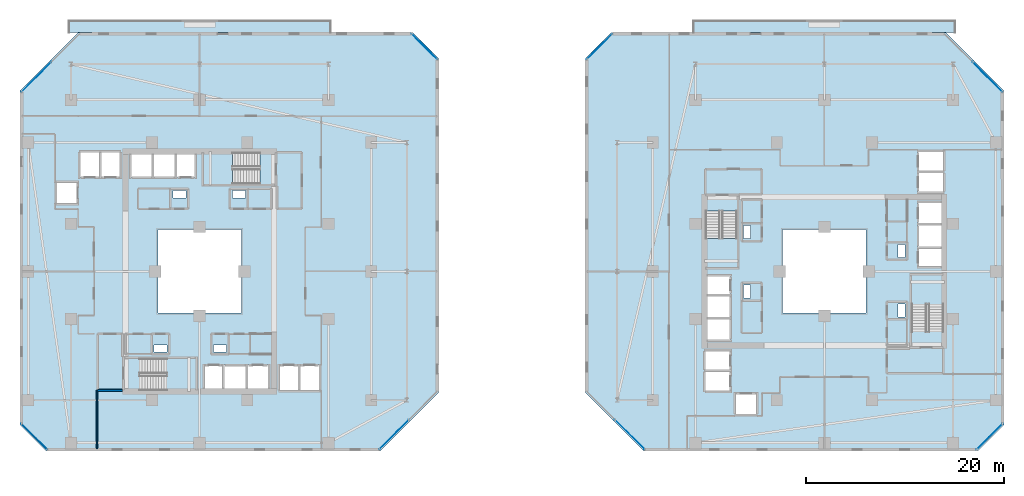
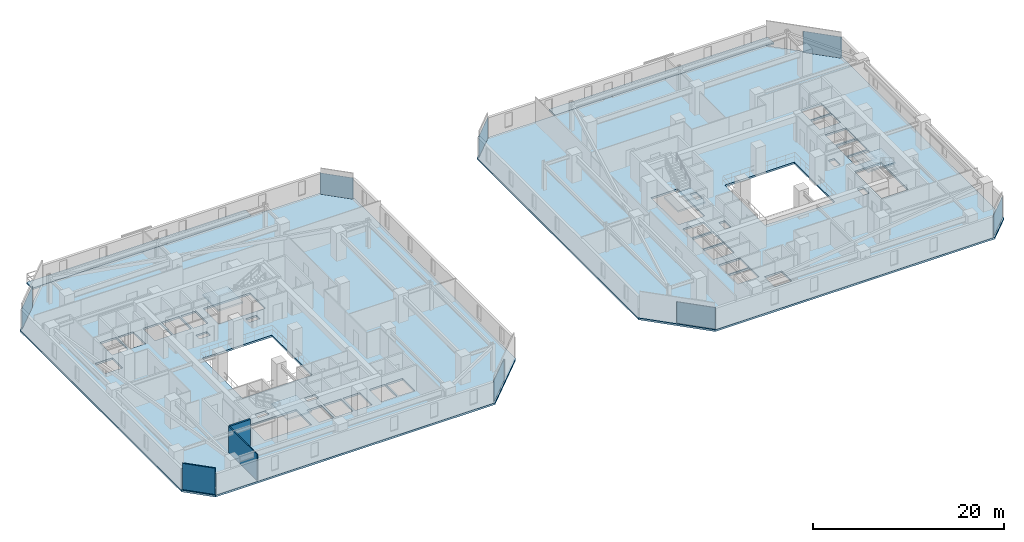
# One storey, part 15 of 30: 8 plates, 8 slabs, 3 walls, 12 elements without a shape of their own.
"""IFC4 building model written with IfcOpenShell, lengths in metres."""

from ifc_helpers import new_model, si_unit, direction, frame, frame_2d, origin, origin_2d, place, context, subcontext, project, spatial, polyline, rectangle, outline, extrude, material, layer, layer_set, type_object, element, aggregate, save


model = new_model("IFC4")

# Units and contexts
model_context = context("Model", 3, precision=1e-05, world=origin(), true_north=direction((0.0, 1.0)))
body_context = subcontext(model_context, "Body", "Model", "MODEL_VIEW")
ifc_project = project(units=[si_unit("LENGTHUNIT", "METRE"), si_unit("AREAUNIT", "SQUARE_METRE"), si_unit("VOLUMEUNIT", "CUBIC_METRE"), si_unit("PLANEANGLEUNIT", "RADIAN"), si_unit("MASSUNIT", "GRAM", prefix="KILO")], contexts=[model_context])

# Site, building, storey
site_placement = place(None, origin())
site = spatial("IfcSite", under=ifc_project, at=site_placement, CompositionType="ELEMENT")
building_placement = place(site_placement, origin())
building = spatial("IfcBuilding", under=site, at=building_placement, Name="Thornwick Lancets Civic Towers", CompositionType="ELEMENT")
storey_placement = place(building_placement, frame((0.0, 0.0, 80.10009765625)))
storey = spatial("IfcBuildingStorey", under=building, at=storey_placement, Name="L20", CompositionType="ELEMENT", Elevation=80.10009765625)

# Curtain wall, plate
ifc_material_1 = material(Name="Low-zone chamfered-corner unitised glass curtain wall", Category="glass")
curtain_wall_type = type_object("IfcCurtainWallType", Name="CW_SYS_03", PredefinedType="NOTDEFINED", material=ifc_material_1)
curtain_wall_1_placement = place(storey_placement, origin())
curtain_wall_1 = element("IfcCurtainWall", 1, at=curtain_wall_1_placement, inside=storey, type_object=curtain_wall_type, Name="L20 Curtain Wall CW-L20-A-E1", PredefinedType="NOTDEFINED")
ifc_material_2 = material(Name="Low-e double glazing clear glass", Category="glass")
ifc_layer_1 = layer(ifc_material_2, 0.035888671875, Name="Low-e double glazing clear glass")
ifc_layer_set_1 = layer_set([ifc_layer_1], Name="Low-e double glazing clear glass")
plate_type = type_object("IfcPlateType", Name="CW_PNL_GLASS", PredefinedType="CURTAIN_PANEL", material=ifc_layer_set_1)
plate_1_placement = place(storey_placement, frame((45.11279296875, 10.537109375, 0.0), z_axis=(0.0, 0.0, 1.0), x_axis=(0.707106781187, 0.707106781187, 0.0)))
plate_1 = element("IfcPlate", 2, at=plate_1_placement, type_object=plate_type, Name="CW-L20-A-E1 Panel 0", PredefinedType="CURTAIN_PANEL", context=body_context, shape_type="SweptSolid", body=[
    extrude(rectangle(XDim=4.213623046875, YDim=0.035888671875, at=origin_2d()), origin(), (0.0, 0.0, 1.0), 2.699951171875),
])
aggregate(curtain_wall_1, [plate_1])

curtain_wall_2_placement = place(storey_placement, origin())
curtain_wall_2 = element("IfcCurtainWall", 3, at=curtain_wall_2_placement, inside=storey, type_object=curtain_wall_type, Name="L20 Curtain Wall CW-L20-A-E3", PredefinedType="NOTDEFINED")
plate_2_placement = place(storey_placement, frame((48.173095703125, 49.673095703125, 0.0), z_axis=(0.0, 0.0, 1.0), x_axis=(-0.707106781187, 0.707106781187, 0.0)))
plate_2 = element("IfcPlate", 4, at=plate_2_placement, type_object=plate_type, Name="CW-L20-A-E3 Panel 0", PredefinedType="CURTAIN_PANEL", context=body_context, shape_type="SweptSolid", body=[
    extrude(rectangle(XDim=3.6494140625, YDim=0.035888671875, at=origin_2d()), origin(), (0.0, 0.0, 1.0), 2.699951171875),
])
aggregate(curtain_wall_2, [plate_2])

curtain_wall_3_placement = place(storey_placement, origin())
curtain_wall_3 = element("IfcCurtainWall", 5, at=curtain_wall_3_placement, inside=storey, type_object=curtain_wall_type, Name="L20 Curtain Wall CW-L20-A-E5", PredefinedType="NOTDEFINED")
plate_3_placement = place(storey_placement, frame((9.037109375, 46.61279296875, 0.0), z_axis=(0.0, 0.0, 1.0), x_axis=(-0.707106781187, -0.707106781187, 0.0)))
plate_3 = element("IfcPlate", 6, at=plate_3_placement, type_object=plate_type, Name="CW-L20-A-E5 Panel 0", PredefinedType="CURTAIN_PANEL", context=body_context, shape_type="SweptSolid", body=[
    extrude(rectangle(XDim=4.213623046875, YDim=0.035888671875, at=origin_2d()), origin(), (0.0, 0.0, 1.0), 2.699951171875),
])
aggregate(curtain_wall_3, [plate_3])

curtain_wall_4_placement = place(storey_placement, origin())
curtain_wall_4 = element("IfcCurtainWall", 7, at=curtain_wall_4_placement, inside=storey, type_object=curtain_wall_type, Name="L20 Curtain Wall CW-L20-A-E7", PredefinedType="NOTDEFINED")
plate_4_placement = place(storey_placement, frame((8.826904296875, 10.326904296875, 0.0), z_axis=(0.0, 0.0, 1.0), x_axis=(0.707106781187, -0.707106781187, 0.0)))
plate_4 = element("IfcPlate", 8, at=plate_4_placement, type_object=plate_type, Name="CW-L20-A-E7 Panel 0", PredefinedType="CURTAIN_PANEL", context=body_context, shape_type="SweptSolid", body=[
    extrude(rectangle(XDim=3.6494140625, YDim=0.035888671875, at=origin_2d()), origin(), (0.0, 0.0, 1.0), 2.699951171875),
])
aggregate(curtain_wall_4, [plate_4])

curtain_wall_5_placement = place(storey_placement, origin())
curtain_wall_5 = element("IfcCurtainWall", 9, at=curtain_wall_5_placement, inside=storey, type_object=curtain_wall_type, Name="L20 Curtain Wall CW-L20-B-E1", PredefinedType="NOTDEFINED")
plate_5_placement = place(storey_placement, frame((105.173095703125, 10.326904296875, 0.0), z_axis=(0.0, 0.0, 1.0), x_axis=(0.707106781187, 0.707106781187, 0.0)))
plate_5 = element("IfcPlate", 10, at=plate_5_placement, type_object=plate_type, Name="CW-L20-B-E1 Panel 0", PredefinedType="CURTAIN_PANEL", context=body_context, shape_type="SweptSolid", body=[
    extrude(rectangle(XDim=3.6494140625, YDim=0.035888671875, at=origin_2d()), origin(), (0.0, 0.0, 1.0), 2.699951171875),
])
aggregate(curtain_wall_5, [plate_5])

curtain_wall_6_placement = place(storey_placement, origin())
curtain_wall_6 = element("IfcCurtainWall", 11, at=curtain_wall_6_placement, inside=storey, type_object=curtain_wall_type, Name="L20 Curtain Wall CW-L20-B-E3", PredefinedType="NOTDEFINED")
plate_6_placement = place(storey_placement, frame((104.962890625, 46.61279296875, 0.0), z_axis=(0.0, 0.0, 1.0), x_axis=(-0.707106781187, 0.707106781187, 0.0)))
plate_6 = element("IfcPlate", 12, at=plate_6_placement, type_object=plate_type, Name="CW-L20-B-E3 Panel 0", PredefinedType="CURTAIN_PANEL", context=body_context, shape_type="SweptSolid", body=[
    extrude(rectangle(XDim=4.213623046875, YDim=0.035888671875, at=origin_2d()), origin(), (0.0, 0.0, 1.0), 2.699951171875),
])
aggregate(curtain_wall_6, [plate_6])

curtain_wall_7_placement = place(storey_placement, origin())
curtain_wall_7 = element("IfcCurtainWall", 13, at=curtain_wall_7_placement, inside=storey, type_object=curtain_wall_type, Name="L20 Curtain Wall CW-L20-B-E5", PredefinedType="NOTDEFINED")
plate_7_placement = place(storey_placement, frame((65.826904296875, 49.673095703125, 0.0), z_axis=(0.0, 0.0, 1.0), x_axis=(-0.707106781187, -0.707106781187, 0.0)))
plate_7 = element("IfcPlate", 14, at=plate_7_placement, type_object=plate_type, Name="CW-L20-B-E5 Panel 0", PredefinedType="CURTAIN_PANEL", context=body_context, shape_type="SweptSolid", body=[
    extrude(rectangle(XDim=3.6494140625, YDim=0.035888671875, at=origin_2d()), origin(), (0.0, 0.0, 1.0), 2.699951171875),
])
aggregate(curtain_wall_7, [plate_7])

curtain_wall_8_placement = place(storey_placement, origin())
curtain_wall_8 = element("IfcCurtainWall", 15, at=curtain_wall_8_placement, inside=storey, type_object=curtain_wall_type, Name="L20 Curtain Wall CW-L20-B-E7", PredefinedType="NOTDEFINED")
plate_8_placement = place(storey_placement, frame((68.88720703125, 10.537109375, 0.0), z_axis=(0.0, 0.0, 1.0), x_axis=(0.707106781187, -0.707106781187, 0.0)))
plate_8 = element("IfcPlate", 16, at=plate_8_placement, type_object=plate_type, Name="CW-L20-B-E7 Panel 0", PredefinedType="CURTAIN_PANEL", context=body_context, shape_type="SweptSolid", body=[
    extrude(rectangle(XDim=4.213623046875, YDim=0.035888671875, at=origin_2d()), origin(), (0.0, 0.0, 1.0), 2.699951171875),
])
aggregate(curtain_wall_8, [plate_8])

# Slabs
ifc_material_3 = material(Name="Post-tensioned concrete C40/50", Category="concrete")
ifc_layer_2 = layer(ifc_material_3, 0.199951171875, Name="Post-tensioned concrete C40/50")
ifc_layer_set_2 = layer_set([ifc_layer_2], Name="Post-tensioned concrete C40/50")
slab_type_1 = type_object("IfcSlabType", Name="SLAB_BALCONY_200", PredefinedType="FLOOR", material=ifc_layer_set_2)
slab_1_placement = place(storey_placement, frame((0.0, 0.0, -0.2001953125)))
element("IfcSlab", 17, at=slab_1_placement, inside=storey, type_object=slab_type_1, Name="L20 Tower A Planted Balcony Slab N", PredefinedType="FLOOR", context=body_context, shape_type="SweptSolid", body=[
    extrude(outline(polyline([(12.300048828125, 51.10009765625), (38.699951171875, 51.10009765625), (38.699951171875, 52.35009765625), (12.300048828125, 52.35009765625), (12.300048828125, 51.10009765625)])), origin(), (0.0, 0.0, 1.0), 0.2001953125),
])
slab_2_placement = place(storey_placement, frame((0.0, 0.0, -0.2001953125)))
element("IfcSlab", 18, at=slab_2_placement, inside=storey, type_object=slab_type_1, Name="L20 Tower B Planted Balcony Slab N", PredefinedType="FLOOR", context=body_context, shape_type="SweptSolid", body=[
    extrude(outline(polyline([(75.300048828125, 51.10009765625), (101.699951171875, 51.10009765625), (101.699951171875, 52.35009765625), (75.300048828125, 52.35009765625), (75.300048828125, 51.10009765625)])), origin(), (0.0, 0.0, 1.0), 0.2001953125),
])

# Stair, slab
ifc_material_4 = material(Name="Concrete C40/50", Category="concrete")
stair_type = type_object("IfcStairType", Name="STAIR_DL_3600", PredefinedType="HALF_TURN_STAIR", material=ifc_material_4)
stair_1_placement = place(storey_placement, origin())
stair_1 = element("IfcStair", 19, at=stair_1_placement, inside=storey, type_object=stair_type, Name="L20 Tower A South Exit Stair ST-A1", PredefinedType="HALF_TURN_STAIR")
ifc_layer_3 = layer(ifc_material_4, 0.25, Name="Concrete C40/50")
ifc_layer_set_3 = layer_set([ifc_layer_3], Name="Concrete C40/50")
slab_type_2 = type_object("IfcSlabType", Name="SLAB_LANDING_200", PredefinedType="LANDING", material=ifc_layer_set_3)
slab_3_placement = place(storey_placement, frame((0.0, 0.0, 1.602783203125)))
slab_3 = element("IfcSlab", 20, at=slab_3_placement, type_object=slab_type_2, Name="ST-A1 landing 1", PredefinedType="LANDING", context=body_context, shape_type="SweptSolid", body=[
    extrude(outline(polyline([(22.169921875, 14.93994140625), (25.14990234375, 14.93994140625), (25.14990234375, 18.260009765625), (22.169921875, 18.260009765625), (22.169921875, 14.93994140625)])), origin(), (0.0, 0.0, 1.0), 0.2001953125),
])
aggregate(stair_1, [slab_3])

stair_2_placement = place(storey_placement, origin())
stair_2 = element("IfcStair", 21, at=stair_2_placement, inside=storey, type_object=stair_type, Name="L20 Tower A North Exit Stair ST-A2", PredefinedType="HALF_TURN_STAIR")
slab_4_placement = place(storey_placement, frame((0.0, 0.0, 1.602783203125)))
slab_4 = element("IfcSlab", 22, at=slab_4_placement, type_object=slab_type_2, Name="ST-A2 landing 1", PredefinedType="LANDING", context=body_context, shape_type="SweptSolid", body=[
    extrude(outline(polyline([(28.830078125, 39.06005859375), (25.85009765625, 39.06005859375), (25.85009765625, 35.739990234375), (28.830078125, 35.739990234375), (28.830078125, 39.06005859375)])), origin(), (0.0, 0.0, 1.0), 0.2001953125),
])
aggregate(stair_2, [slab_4])

stair_3_placement = place(storey_placement, origin())
stair_3 = element("IfcStair", 23, at=stair_3_placement, inside=storey, type_object=stair_type, Name="L20 Tower B East Exit Stair ST-B1", PredefinedType="HALF_TURN_STAIR")
slab_5_placement = place(storey_placement, frame((0.0, 0.0, 1.602783203125)))
slab_5 = element("IfcSlab", 24, at=slab_5_placement, type_object=slab_type_2, Name="ST-B1 landing 1", PredefinedType="LANDING", context=body_context, shape_type="SweptSolid", body=[
    extrude(outline(polyline([(100.56005859375, 23.669921875), (100.56005859375, 26.64990234375), (97.239990234375, 26.64990234375), (97.239990234375, 23.669921875), (100.56005859375, 23.669921875)])), origin(), (0.0, 0.0, 1.0), 0.2001953125),
])
aggregate(stair_3, [slab_5])

stair_4_placement = place(storey_placement, origin())
stair_4 = element("IfcStair", 25, at=stair_4_placement, inside=storey, type_object=stair_type, Name="L20 Tower B West Exit Stair ST-B2", PredefinedType="HALF_TURN_STAIR")
slab_6_placement = place(storey_placement, frame((0.0, 0.0, 1.602783203125)))
slab_6 = element("IfcSlab", 26, at=slab_6_placement, type_object=slab_type_2, Name="ST-B2 landing 1", PredefinedType="LANDING", context=body_context, shape_type="SweptSolid", body=[
    extrude(outline(polyline([(76.43994140625, 30.330078125), (76.43994140625, 27.35009765625), (79.760009765625, 27.35009765625), (79.760009765625, 30.330078125), (76.43994140625, 30.330078125)])), origin(), (0.0, 0.0, 1.0), 0.2001953125),
])
aggregate(stair_4, [slab_6])

# Slabs
ifc_layer_4 = layer(ifc_material_3, 0.239990234375, Name="Post-tensioned concrete C40/50")
ifc_layer_set_4 = layer_set([ifc_layer_4], Name="Post-tensioned concrete C40/50")
slab_type_3 = type_object("IfcSlabType", Name="SLAB_PT_240", PredefinedType="FLOOR", material=ifc_layer_set_4)
slab_7_placement = place(storey_placement, frame((0.0, 0.0, -0.239990234375)))
element("IfcSlab", 27, at=slab_7_placement, inside=storey, type_object=slab_type_3, Name="L20 Tower A Floor Slab", PredefinedType="FLOOR", context=body_context, shape_type="SweptSolid", body=[
    extrude(outline(polyline([(10.0, 8.89990234375), (43.72705078125, 8.89990234375), (49.60009765625, 14.77294921875), (49.60009765625, 48.5), (47.0, 51.10009765625), (13.27294921875, 51.10009765625), (7.39990234375, 45.22705078125), (7.39990234375, 11.5), (10.0, 8.89990234375)]), holes=[polyline([(21.300048828125, 22.800048828125), (29.699951171875, 22.800048828125), (29.699951171875, 31.199951171875), (21.300048828125, 31.199951171875), (21.300048828125, 22.800048828125)]), polyline([(19.429931640625, 15.0), (25.10009765625, 15.0), (25.10009765625, 18.199951171875), (19.429931640625, 18.199951171875), (19.429931640625, 15.0)]), polyline([(31.570068359375, 39.0), (25.89990234375, 39.0), (25.89990234375, 35.800048828125), (31.570068359375, 35.800048828125), (31.570068359375, 39.0)]), polyline([(26.0, 15.0), (27.800048828125, 15.0), (27.800048828125, 17.550048828125), (26.0, 17.550048828125), (26.0, 15.0)]), polyline([(28.0, 15.0), (30.14990234375, 15.0), (30.14990234375, 17.550048828125), (28.0, 17.550048828125), (28.0, 15.0)]), polyline([(30.35009765625, 15.0), (32.39990234375, 15.0), (32.39990234375, 17.550048828125), (30.35009765625, 17.550048828125), (30.35009765625, 15.0)]), polyline([(33.550048828125, 15.0), (35.449951171875, 15.0), (35.449951171875, 17.550048828125), (33.550048828125, 17.550048828125), (33.550048828125, 15.0)]), polyline([(35.60009765625, 15.0), (37.550048828125, 15.0), (37.550048828125, 17.550048828125), (35.60009765625, 17.550048828125), (35.60009765625, 15.0)]), polyline([(23.199951171875, 36.449951171875), (25.0, 36.449951171875), (25.0, 39.0), (23.199951171875, 39.0), (23.199951171875, 36.449951171875)]), polyline([(20.85009765625, 36.449951171875), (23.0, 36.449951171875), (23.0, 39.0), (20.85009765625, 39.0), (20.85009765625, 36.449951171875)]), polyline([(18.60009765625, 36.449951171875), (20.699951171875, 36.449951171875), (20.699951171875, 39.0), (18.60009765625, 39.0), (18.60009765625, 36.449951171875)]), polyline([(15.550048828125, 36.449951171875), (17.449951171875, 36.449951171875), (17.449951171875, 39.0), (15.550048828125, 39.0), (15.550048828125, 36.449951171875)]), polyline([(13.449951171875, 36.449951171875), (15.39990234375, 36.449951171875), (15.39990234375, 39.0), (13.449951171875, 39.0), (13.449951171875, 36.449951171875)]), polyline([(11.10009765625, 33.85009765625), (13.199951171875, 33.85009765625), (13.199951171875, 35.949951171875), (11.10009765625, 35.949951171875), (11.10009765625, 33.85009765625)]), polyline([(26.89990234375, 18.85009765625), (28.199951171875, 18.85009765625), (28.199951171875, 19.580078125), (26.89990234375, 19.580078125), (26.89990234375, 18.85009765625)]), polyline([(20.89990234375, 18.85009765625), (22.199951171875, 18.85009765625), (22.199951171875, 19.580078125), (20.89990234375, 19.580078125), (20.89990234375, 18.85009765625)]), polyline([(22.800048828125, 34.419921875), (24.10009765625, 34.419921875), (24.10009765625, 35.14990234375), (22.800048828125, 35.14990234375), (22.800048828125, 34.419921875)]), polyline([(28.800048828125, 34.419921875), (30.10009765625, 34.419921875), (30.10009765625, 35.14990234375), (28.800048828125, 35.14990234375), (28.800048828125, 34.419921875)])]), origin(), (0.0, 0.0, 1.0), 0.239990234375),
])
slab_8_placement = place(storey_placement, frame((0.0, 0.0, -0.239990234375)))
element("IfcSlab", 28, at=slab_8_placement, inside=storey, type_object=slab_type_3, Name="L20 Tower B Floor Slab", PredefinedType="FLOOR", context=body_context, shape_type="SweptSolid", body=[
    extrude(outline(polyline([(70.27294921875, 8.89990234375), (104.0, 8.89990234375), (106.60009765625, 11.5), (106.60009765625, 45.22705078125), (100.72705078125, 51.10009765625), (67.0, 51.10009765625), (64.39990234375, 48.5), (64.39990234375, 14.77294921875), (70.27294921875, 8.89990234375)]), holes=[polyline([(84.300048828125, 22.800048828125), (92.699951171875, 22.800048828125), (92.699951171875, 31.199951171875), (84.300048828125, 31.199951171875), (84.300048828125, 22.800048828125)]), polyline([(100.5, 20.929931640625), (100.5, 26.60009765625), (97.300048828125, 26.60009765625), (97.300048828125, 20.929931640625), (100.5, 20.929931640625)]), polyline([(76.5, 33.070068359375), (76.5, 27.39990234375), (79.699951171875, 27.39990234375), (79.699951171875, 33.070068359375), (76.5, 33.070068359375)]), polyline([(97.949951171875, 27.5), (100.5, 27.5), (100.5, 29.300048828125), (97.949951171875, 29.300048828125), (97.949951171875, 27.5)]), polyline([(97.949951171875, 29.5), (100.5, 29.5), (100.5, 31.64990234375), (97.949951171875, 31.64990234375), (97.949951171875, 29.5)]), polyline([(97.949951171875, 31.85009765625), (100.5, 31.85009765625), (100.5, 33.89990234375), (97.949951171875, 33.89990234375), (97.949951171875, 31.85009765625)]), polyline([(97.949951171875, 35.050048828125), (100.5, 35.050048828125), (100.5, 36.949951171875), (97.949951171875, 36.949951171875), (97.949951171875, 35.050048828125)]), polyline([(97.949951171875, 37.10009765625), (100.5, 37.10009765625), (100.5, 39.050048828125), (97.949951171875, 39.050048828125), (97.949951171875, 37.10009765625)]), polyline([(76.5, 24.699951171875), (79.050048828125, 24.699951171875), (79.050048828125, 26.5), (76.5, 26.5), (76.5, 24.699951171875)]), polyline([(76.5, 22.35009765625), (79.050048828125, 22.35009765625), (79.050048828125, 24.5), (76.5, 24.5), (76.5, 22.35009765625)]), polyline([(76.5, 20.10009765625), (79.050048828125, 20.10009765625), (79.050048828125, 22.199951171875), (76.5, 22.199951171875), (76.5, 20.10009765625)]), polyline([(76.5, 17.050048828125), (79.050048828125, 17.050048828125), (79.050048828125, 18.949951171875), (76.5, 18.949951171875), (76.5, 17.050048828125)]), polyline([(76.5, 14.949951171875), (79.050048828125, 14.949951171875), (79.050048828125, 16.89990234375), (76.5, 16.89990234375), (76.5, 14.949951171875)]), polyline([(79.550048828125, 12.60009765625), (81.64990234375, 12.60009765625), (81.64990234375, 14.699951171875), (79.550048828125, 14.699951171875), (79.550048828125, 12.60009765625)]), polyline([(95.919921875, 28.39990234375), (96.64990234375, 28.39990234375), (96.64990234375, 29.699951171875), (95.919921875, 29.699951171875), (95.919921875, 28.39990234375)]), polyline([(95.919921875, 22.39990234375), (96.64990234375, 22.39990234375), (96.64990234375, 23.699951171875), (95.919921875, 23.699951171875), (95.919921875, 22.39990234375)]), polyline([(80.35009765625, 24.300048828125), (81.080078125, 24.300048828125), (81.080078125, 25.60009765625), (80.35009765625, 25.60009765625), (80.35009765625, 24.300048828125)]), polyline([(80.35009765625, 30.300048828125), (81.080078125, 30.300048828125), (81.080078125, 31.60009765625), (80.35009765625, 31.60009765625), (80.35009765625, 30.300048828125)])]), origin(), (0.0, 0.0, 1.0), 0.239990234375),
])

# Walls
ifc_material_5 = material(Name="Concrete blockwork C40/50", Category="masonry")
ifc_layer_5 = layer(ifc_material_5, 0.199951171875, Name="Concrete blockwork C40/50")
ifc_layer_set_5 = layer_set([ifc_layer_5], Name="Concrete blockwork C40/50")
wall_type_1 = type_object("IfcWallType", Name="WALL_COMP_200", PredefinedType="STANDARD", material=ifc_layer_set_5)
wall_1_placement = place(storey_placement, frame((15.199951171875, 15.0, 0.0), z_axis=(0.0, 0.0, 1.0), x_axis=(1.0, 0.0, 0.0)))
element("IfcWall", 29, at=wall_1_placement, inside=storey, type_object=wall_type_1, Name="L20 Partition L20-A-FFLOB1 E1", PredefinedType="STANDARD", context=body_context, shape_type="SweptSolid", body=[
    extrude(rectangle(XDim=2.5, YDim=0.199951171875, at=frame_2d((1.25, 0.0))), origin(), (0.0, 0.0, 1.0), 3.33984375),
])
ifc_material_6 = material(Name="Acoustic gypsum board partition")
ifc_layer_6 = layer(ifc_material_6, 0.1201171875, Name="Acoustic gypsum board partition")
ifc_layer_set_6 = layer_set([ifc_layer_6], Name="Acoustic gypsum board partition")
wall_type_2 = type_object("IfcWallType", Name="WALL_PART_120", PredefinedType="PARTITIONING", material=ifc_layer_set_6)
wall_2_placement = place(storey_placement, frame((15.14990234375, 15.0, 0.0), z_axis=(0.0, 0.0, 1.0), x_axis=(0.0, -1.0, 0.0)))
element("IfcWall", 30, at=wall_2_placement, inside=storey, type_object=wall_type_2, Name="L20 Partition L20-A-W1 E8", PredefinedType="PARTITIONING", context=body_context, shape_type="SweptSolid", body=[
    extrude(rectangle(XDim=5.919921875, YDim=0.1201171875, at=frame_2d((2.9599609375, 0.0))), origin(), (0.0, 0.0, 1.0), 3.33984375),
])
wall_3_placement = place(storey_placement, frame((10.07470703125, 9.080078125, 0.0), z_axis=(0.0, 0.0, 1.0), x_axis=(-0.707106781187, 0.707106781187, 0.0)))
element("IfcWall", 31, at=wall_3_placement, inside=storey, type_object=wall_type_2, Name="L20 Partition L20-A-W1 E10", PredefinedType="PARTITIONING", context=body_context, shape_type="SweptSolid", body=[
    extrude(rectangle(XDim=3.52783203125, YDim=0.1201171875, at=frame_2d((1.763916015625, 0.0))), origin(), (0.0, 0.0, 1.0), 3.33984375),
])

save(model, "model.ifc")
